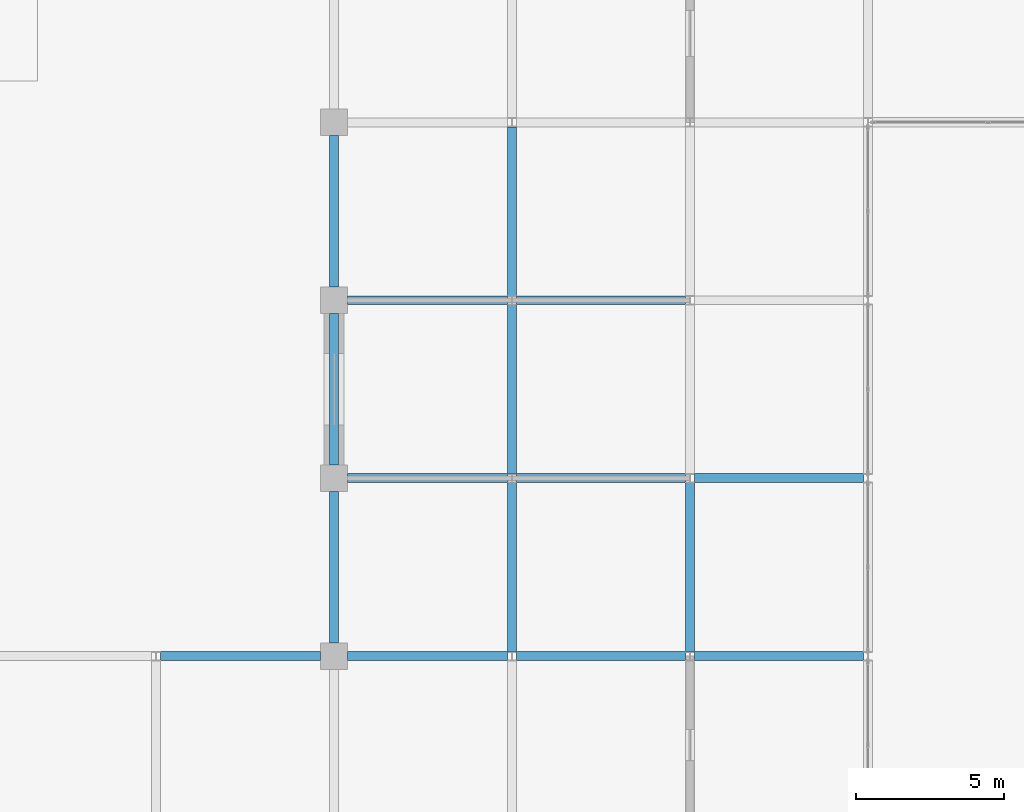
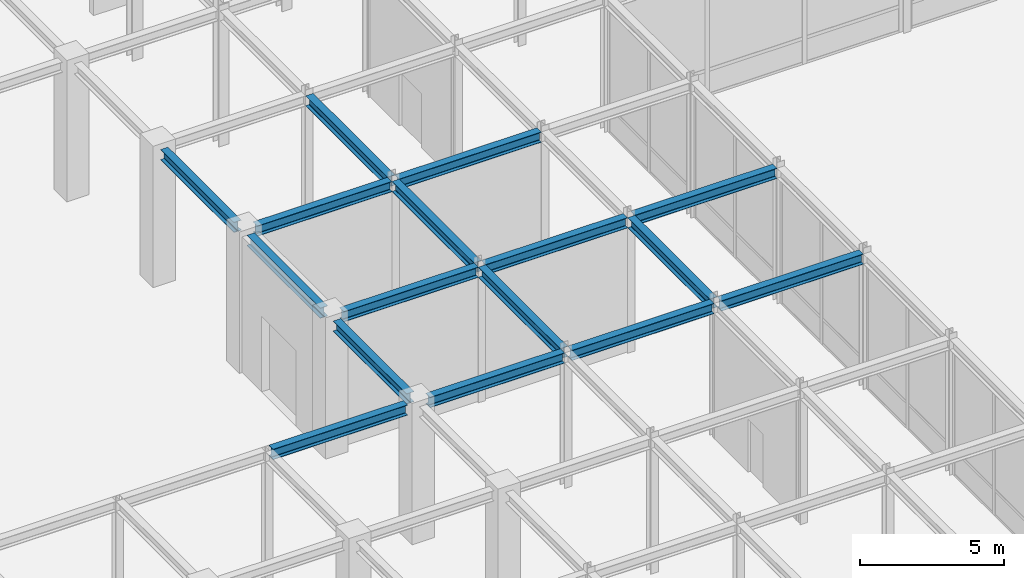
# One storey, part 65 of 108: 16 beams.
"""IFC4 building model written with IfcOpenShell, lengths in metres."""

from ifc_helpers import new_model, si_unit, direction, frame, origin, origin_2d, place, context, subcontext, project, spatial, i_section, extrude, material, material_profile, profile_set, type_object, element, save


model = new_model("IFC4")

# Units and contexts
model_context = context("Model", 3, precision=1e-05, world=origin(), true_north=direction((0.0, 1.0)))
body_context = subcontext(model_context, "Body", "Model", "MODEL_VIEW")
ifc_project = project(units=[si_unit("LENGTHUNIT", "METRE"), si_unit("AREAUNIT", "SQUARE_METRE"), si_unit("VOLUMEUNIT", "CUBIC_METRE"), si_unit("PLANEANGLEUNIT", "RADIAN"), si_unit("MASSUNIT", "GRAM", prefix="KILO")], contexts=[model_context])

# Site, building, storey
site_placement = place(None, origin())
site = spatial("IfcSite", under=ifc_project, at=site_placement, CompositionType="ELEMENT")
building_placement = place(site_placement, origin())
building = spatial("IfcBuilding", under=site, at=building_placement, Name="Zlatovratsky Civic Hall", CompositionType="ELEMENT")
storey_placement = place(building_placement, frame((0.0, 0.0, 6.0)))
storey = spatial("IfcBuildingStorey", under=building, at=storey_placement, Name="L02", CompositionType="ELEMENT", Elevation=6.0)

# Beams
ifc_material = material(Name="Steel S355", Category="steel")
ifc_material_profile = material_profile(ifc_material, i_section(OverallWidth=0.300048828125, OverallDepth=0.43994140625, WebThickness=0.010986328125, FlangeThickness=0.01806640625, FilletRadius=0.02197265625, at=origin_2d()), Name="45Sh1")
ifc_profile_set = profile_set([ifc_material_profile], Name="Steel S355")
beam_type = type_object("IfcBeamType", Name="Beam_TowerLow_45Sh1", PredefinedType="BEAM", material=ifc_profile_set)
for number, where, z_axis, x_axis, name in (
    (1, (96.14990234375, 48.0, 5.5400390625), (1.0, 0.0, 0.0), (0.0, 1.0, 0.0), "BM-1843"),
    (2, (102.449951171875, 48.0, 5.5400390625), (1.0, 0.0, 0.0), (0.0, 1.0, 0.0), "BM-1844"),
):
    element("IfcBeam", number, at=place(storey_placement, frame(where, z_axis=z_axis, x_axis=x_axis)), inside=storey, type_object=beam_type, Name=name, PredefinedType="BEAM", context=body_context, shape_type="SweptSolid", body=[
        extrude(i_section(OverallWidth=0.300048828125, OverallDepth=0.43994140625, WebThickness=0.010986328125, FlangeThickness=0.01806640625, FilletRadius=0.02197265625, at=origin_2d()), origin(), (0.0, 0.0, 1.0), 5.400146484375),
    ])
for number, where, z_axis, x_axis, name in (
    (3, (108.14990234375, 48.0, 5.5400390625), (1.0, 0.0, 0.0), (0.0, 1.0, 0.0), "BM-1845"),
    (4, (114.14990234375, 48.0, 5.5400390625), (1.0, 0.0, 0.0), (0.0, 1.0, 0.0), "BM-1846"),
):
    element("IfcBeam", number, at=place(storey_placement, frame(where, z_axis=z_axis, x_axis=x_axis)), inside=storey, type_object=beam_type, Name=name, PredefinedType="BEAM", context=body_context, shape_type="SweptSolid", body=[
        extrude(i_section(OverallWidth=0.300048828125, OverallDepth=0.43994140625, WebThickness=0.010986328125, FlangeThickness=0.01806640625, FilletRadius=0.02197265625, at=origin_2d()), origin(), (0.0, 0.0, 1.0), 5.7001953125),
    ])
beam_1_placement = place(storey_placement, frame((102.449951171875, 54.0, 5.5400390625), z_axis=(1.0, 0.0, 0.0), x_axis=(0.0, 1.0, 0.0)))
element("IfcBeam", 5, at=beam_1_placement, inside=storey, type_object=beam_type, Name="BM-1854", PredefinedType="BEAM", context=body_context, shape_type="SweptSolid", body=[
    extrude(i_section(OverallWidth=0.300048828125, OverallDepth=0.43994140625, WebThickness=0.010986328125, FlangeThickness=0.01806640625, FilletRadius=0.02197265625, at=origin_2d()), origin(), (0.0, 0.0, 1.0), 5.400146484375),
])
for number, where, z_axis, x_axis, name in (
    (6, (108.14990234375, 54.0, 5.5400390625), (1.0, 0.0, 0.0), (0.0, 1.0, 0.0), "BM-1855"),
    (7, (114.14990234375, 54.0, 5.5400390625), (1.0, 0.0, 0.0), (0.0, 1.0, 0.0), "BM-1856"),
):
    element("IfcBeam", number, at=place(storey_placement, frame(where, z_axis=z_axis, x_axis=x_axis)), inside=storey, type_object=beam_type, Name=name, PredefinedType="BEAM", context=body_context, shape_type="SweptSolid", body=[
        extrude(i_section(OverallWidth=0.300048828125, OverallDepth=0.43994140625, WebThickness=0.010986328125, FlangeThickness=0.01806640625, FilletRadius=0.02197265625, at=origin_2d()), origin(), (0.0, 0.0, 1.0), 5.7001953125),
    ])
beam_2_placement = place(storey_placement, frame((102.449951171875, 60.0, 5.5400390625), z_axis=(1.0, 0.0, 0.0), x_axis=(0.0, 1.0, 0.0)))
element("IfcBeam", 8, at=beam_2_placement, inside=storey, type_object=beam_type, Name="BM-1864", PredefinedType="BEAM", context=body_context, shape_type="SweptSolid", body=[
    extrude(i_section(OverallWidth=0.300048828125, OverallDepth=0.43994140625, WebThickness=0.010986328125, FlangeThickness=0.01806640625, FilletRadius=0.02197265625, at=origin_2d()), origin(), (0.0, 0.0, 1.0), 5.400146484375),
])
beam_3_placement = place(storey_placement, frame((108.14990234375, 60.0, 5.5400390625), z_axis=(1.0, 0.0, 0.0), x_axis=(0.0, 1.0, 0.0)))
element("IfcBeam", 9, at=beam_3_placement, inside=storey, type_object=beam_type, Name="BM-1865", PredefinedType="BEAM", context=body_context, shape_type="SweptSolid", body=[
    extrude(i_section(OverallWidth=0.300048828125, OverallDepth=0.43994140625, WebThickness=0.010986328125, FlangeThickness=0.01806640625, FilletRadius=0.02197265625, at=origin_2d()), origin(), (0.0, 0.0, 1.0), 5.7001953125),
])
for number, where, z_axis, x_axis, name in (
    (10, (102.0, 48.449951171875, 5.5400390625), (0.0, 1.0, 0.0), (-1.0, 0.0, 0.0), "BM-2255"),
    (11, (102.0, 54.449951171875, 5.5400390625), (0.0, 1.0, 0.0), (-1.0, 0.0, 0.0), "BM-2256"),
    (12, (102.0, 60.449951171875, 5.5400390625), (0.0, 1.0, 0.0), (-1.0, 0.0, 0.0), "BM-2257"),
):
    element("IfcBeam", number, at=place(storey_placement, frame(where, z_axis=z_axis, x_axis=x_axis)), inside=storey, type_object=beam_type, Name=name, PredefinedType="BEAM", context=body_context, shape_type="SweptSolid", body=[
        extrude(i_section(OverallWidth=0.300048828125, OverallDepth=0.43994140625, WebThickness=0.010986328125, FlangeThickness=0.01806640625, FilletRadius=0.02197265625, at=origin_2d()), origin(), (0.0, 0.0, 1.0), 5.10009765625),
    ])
for number, where, z_axis, x_axis, name in (
    (13, (108.0, 48.14990234375, 5.5400390625), (0.0, 1.0, 0.0), (-1.0, 0.0, 0.0), "BM-2271"),
    (14, (108.0, 54.14990234375, 5.5400390625), (0.0, 1.0, 0.0), (-1.0, 0.0, 0.0), "BM-2272"),
    (15, (108.0, 60.14990234375, 5.5400390625), (0.0, 1.0, 0.0), (-1.0, 0.0, 0.0), "BM-2273"),
    (16, (114.0, 48.14990234375, 5.5400390625), (0.0, 1.0, 0.0), (-1.0, 0.0, 0.0), "BM-2288"),
):
    element("IfcBeam", number, at=place(storey_placement, frame(where, z_axis=z_axis, x_axis=x_axis)), inside=storey, type_object=beam_type, Name=name, PredefinedType="BEAM", context=body_context, shape_type="SweptSolid", body=[
        extrude(i_section(OverallWidth=0.300048828125, OverallDepth=0.43994140625, WebThickness=0.010986328125, FlangeThickness=0.01806640625, FilletRadius=0.02197265625, at=origin_2d()), origin(), (0.0, 0.0, 1.0), 5.7001953125),
    ])

save(model, "model.ifc")
